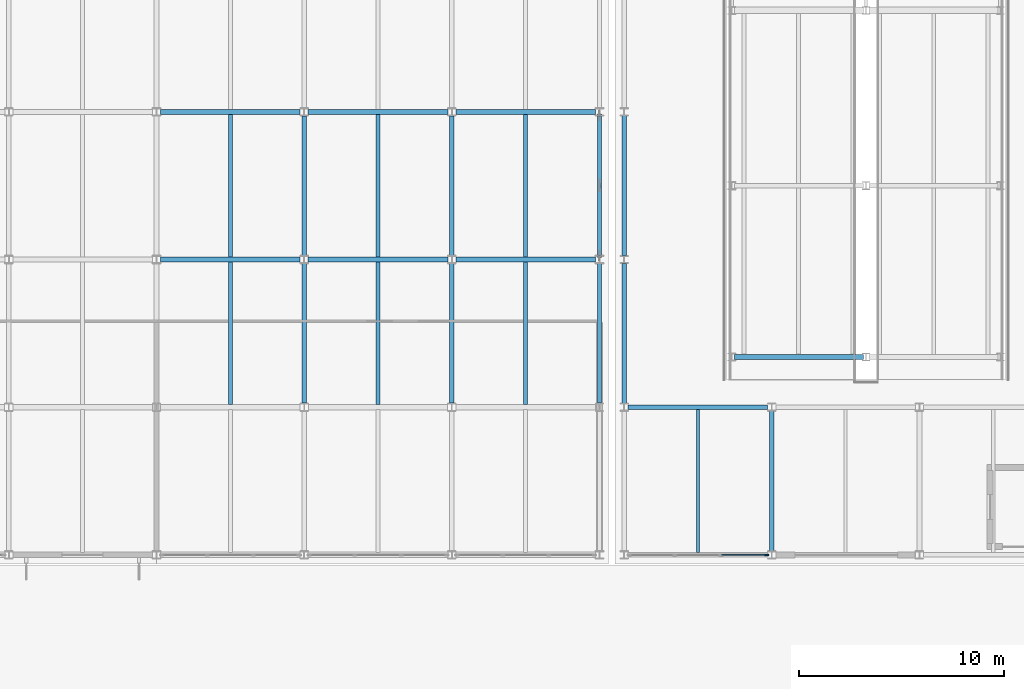
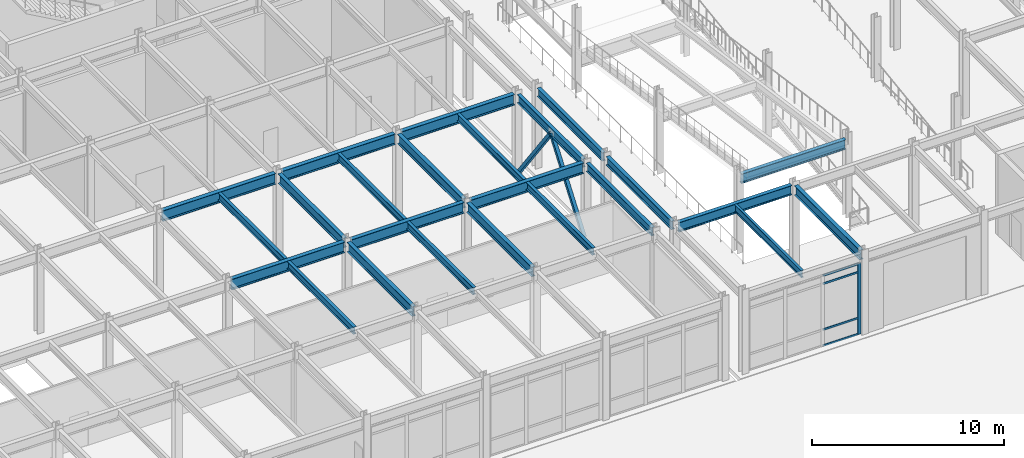
# One storey, part 36 of 104: 24 beams, 7 members, 1 element without a shape of its own.
"""IFC4 building model written with IfcOpenShell, lengths in metres."""

from ifc_helpers import new_model, si_unit, direction, frame, origin, origin_2d, place, context, subcontext, project, spatial, rectangle, hollow_rectangle, i_section, extrude, material, material_profile, profile_set, type_object, element, aggregate, save


model = new_model("IFC4")

# Units and contexts
model_context = context("Model", 3, precision=1e-05, world=origin(), true_north=direction((0.0, 1.0)))
body_context = subcontext(model_context, "Body", "Model", "MODEL_VIEW")
ifc_project = project(units=[si_unit("LENGTHUNIT", "METRE"), si_unit("AREAUNIT", "SQUARE_METRE"), si_unit("VOLUMEUNIT", "CUBIC_METRE"), si_unit("PLANEANGLEUNIT", "RADIAN"), si_unit("MASSUNIT", "GRAM", prefix="KILO")], contexts=[model_context])

# Site, building, storey
site_placement = place(None, origin())
site = spatial("IfcSite", under=ifc_project, at=site_placement, CompositionType="ELEMENT")
building_placement = place(site_placement, origin())
building = spatial("IfcBuilding", under=site, at=building_placement, Name="Vaelcorin Mobility Hub", CompositionType="ELEMENT")
storey_placement = place(building_placement, origin())
storey = spatial("IfcBuildingStorey", under=building, at=storey_placement, Name="L00", CompositionType="ELEMENT", Elevation=0.0)

# Beams
ifc_material_1 = material(Name="Steel ASTM A992 Grade 50", Category="steel")
ifc_material_profile_1 = material_profile(ifc_material_1, i_section(OverallWidth=0.152099609375, OverallDepth=0.455078125, WebThickness=0.008056640625, FlangeThickness=0.01318359375, FilletRadius=0.012939453125, at=origin_2d()), Name="W18X40")
ifc_profile_set_1 = profile_set([ifc_material_profile_1], Name="Steel ASTM A992 Grade 50")
beam_type_1 = type_object("IfcBeamType", Name="BM-W18X40", PredefinedType="JOIST", material=ifc_profile_set_1)
beam_1_placement = place(storey_placement, frame((127.199951171875, 76.912109375, 4.922119140625), z_axis=(0.0, 1.0, 0.0), x_axis=(-1.0, 0.0, 0.0)))
element("IfcBeam", 1, at=beam_1_placement, inside=storey, type_object=beam_type_1, Name="L00 Beam V2E-L00-J-01-01-1", PredefinedType="JOIST", context=body_context, shape_type="SweptSolid", body=[
    extrude(i_section(OverallWidth=0.152099609375, OverallDepth=0.455078125, WebThickness=0.008056640625, FlangeThickness=0.01318359375, FilletRadius=0.012939453125, at=origin_2d()), origin(), (0.0, 0.0, 1.0), 6.975830078125),
])
ifc_material_profile_2 = material_profile(ifc_material_1, i_section(OverallWidth=0.19091796875, OverallDepth=0.4599609375, WebThickness=0.010009765625, FlangeThickness=0.01611328125, FilletRadius=0.012939453125, at=origin_2d()), Name="W18X55")
ifc_profile_set_2 = profile_set([ifc_material_profile_2], Name="Steel ASTM A992 Grade 50")
beam_type_2 = type_object("IfcBeamType", Name="BM-W18X55", PredefinedType="JOIST", material=ifc_profile_set_2)
for number, where, z_axis, x_axis, name in (
    (2, (104.39990234375, 84.125, 4.929931640625), (0.0, 1.0, 0.0), (-1.0, 0.0, 0.0), "L00 Beam V4-L00-J-10-02-1"),
    (3, (104.39990234375, 91.324951171875, 4.929931640625), (0.0, 1.0, 0.0), (-1.0, 0.0, 0.0), "L00 Beam V4-L00-J-10-03-1"),
    (4, (111.60009765625, 84.125, 4.929931640625), (0.0, 1.0, 0.0), (-1.0, 0.0, 0.0), "L00 Beam V4-L00-J-11-02-1"),
    (5, (111.60009765625, 91.324951171875, 4.929931640625), (0.0, 1.0, 0.0), (-1.0, 0.0, 0.0), "L00 Beam V4-L00-J-11-03-1"),
    (6, (118.800048828125, 84.125, 4.929931640625), (0.0, 1.0, 0.0), (-1.0, 0.0, 0.0), "L00 Beam V4-L00-J-12-02-1"),
    (7, (118.800048828125, 91.324951171875, 4.929931640625), (0.0, 1.0, 0.0), (-1.0, 0.0, 0.0), "L00 Beam V4-L00-J-12-03-1"),
):
    element("IfcBeam", number, at=place(storey_placement, frame(where, z_axis=z_axis, x_axis=x_axis)), inside=storey, type_object=beam_type_2, Name=name, PredefinedType="JOIST", context=body_context, shape_type="SweptSolid", body=[
        extrude(i_section(OverallWidth=0.19091796875, OverallDepth=0.4599609375, WebThickness=0.010009765625, FlangeThickness=0.01611328125, FilletRadius=0.012939453125, at=origin_2d()), origin(), (0.0, 0.0, 1.0), 6.949951171875),
    ])
ifc_material_profile_3 = material_profile(ifc_material_1, i_section(OverallWidth=0.2099609375, OverallDepth=0.535888671875, WebThickness=0.010986328125, FlangeThickness=0.017333984375, FilletRadius=0.013916015625, at=origin_2d()), Name="W21X68")
ifc_profile_set_3 = profile_set([ifc_material_profile_3], Name="Steel ASTM A992 Grade 50")
beam_type_3 = type_object("IfcBeamType", Name="BM-W21X68", PredefinedType="SPANDREL", material=ifc_profile_set_3)
beam_2_placement = place(storey_placement, frame((122.39990234375, 84.200927734375, 4.89208984375), z_axis=(0.0, 1.0, 0.0), x_axis=(-1.0, 0.0, 0.0)))
element("IfcBeam", 8, at=beam_2_placement, inside=storey, type_object=beam_type_3, Name="L00 Beam V4-L00-GY-13-02", PredefinedType="SPANDREL", context=body_context, shape_type="SweptSolid", body=[
    extrude(i_section(OverallWidth=0.2099609375, OverallDepth=0.535888671875, WebThickness=0.010986328125, FlangeThickness=0.017333984375, FilletRadius=0.013916015625, at=origin_2d()), origin(), (0.0, 0.0, 1.0), 6.803955078125),
])
beam_3_placement = place(storey_placement, frame((122.39990234375, 91.39501953125, 4.89208984375), z_axis=(0.0, 1.0, 0.0), x_axis=(-1.0, 0.0, 0.0)))
element("IfcBeam", 9, at=beam_3_placement, inside=storey, type_object=beam_type_3, Name="L00 Beam V4-L00-GY-13-03", PredefinedType="SPANDREL", context=body_context, shape_type="SweptSolid", body=[
    extrude(i_section(OverallWidth=0.2099609375, OverallDepth=0.535888671875, WebThickness=0.010986328125, FlangeThickness=0.017333984375, FilletRadius=0.013916015625, at=origin_2d()), origin(), (0.0, 0.0, 1.0), 6.81005859375),
])
beam_4_placement = place(storey_placement, frame((123.60009765625, 84.18798828125, 4.882080078125), z_axis=(0.0, 1.0, 0.0), x_axis=(-1.0, 0.0, 0.0)))
element("IfcBeam", 10, at=beam_4_placement, inside=storey, type_object=beam_type_3, Name="L00 Beam V2E-L00-GY-01-02", PredefinedType="SPANDREL", context=body_context, shape_type="SweptSolid", body=[
    extrude(i_section(OverallWidth=0.2099609375, OverallDepth=0.535888671875, WebThickness=0.010986328125, FlangeThickness=0.017333984375, FilletRadius=0.013916015625, at=origin_2d()), origin(), (0.0, 0.0, 1.0), 6.823974609375),
])
beam_5_placement = place(storey_placement, frame((123.60009765625, 91.388916015625, 4.882080078125), z_axis=(0.0, 1.0, 0.0), x_axis=(-1.0, 0.0, 0.0)))
element("IfcBeam", 11, at=beam_5_placement, inside=storey, type_object=beam_type_3, Name="L00 Beam V2E-L00-GY-01-03", PredefinedType="SPANDREL", context=body_context, shape_type="SweptSolid", body=[
    extrude(i_section(OverallWidth=0.2099609375, OverallDepth=0.535888671875, WebThickness=0.010986328125, FlangeThickness=0.017333984375, FilletRadius=0.013916015625, at=origin_2d()), origin(), (0.0, 0.0, 1.0), 6.822998046875),
])
ifc_material_profile_4 = material_profile(ifc_material_1, i_section(OverallWidth=0.22900390625, OverallDepth=0.612060546875, WebThickness=0.011962890625, FlangeThickness=0.01953125, FilletRadius=0.014892578125, at=origin_2d()), Name="W24X84")
ifc_profile_set_4 = profile_set([ifc_material_profile_4], Name="Steel ASTM A992 Grade 50")
beam_type_4 = type_object("IfcBeamType", Name="BM-W24X84", PredefinedType="BEAM", material=ifc_profile_set_4)
beam_6_placement = place(storey_placement, frame((108.0, 84.200927734375, 4.85400390625), z_axis=(0.0, 1.0, 0.0), x_axis=(-1.0, 0.0, 0.0)))
element("IfcBeam", 12, at=beam_6_placement, inside=storey, type_object=beam_type_4, Name="L00 Beam V4-L00-GY-11-02", PredefinedType="BEAM", context=body_context, shape_type="SweptSolid", body=[
    extrude(i_section(OverallWidth=0.22900390625, OverallDepth=0.612060546875, WebThickness=0.011962890625, FlangeThickness=0.01953125, FilletRadius=0.014892578125, at=origin_2d()), origin(), (0.0, 0.0, 1.0), 6.803955078125),
])
beam_7_placement = place(storey_placement, frame((108.0, 91.39501953125, 4.85400390625), z_axis=(0.0, 1.0, 0.0), x_axis=(-1.0, 0.0, 0.0)))
element("IfcBeam", 13, at=beam_7_placement, inside=storey, type_object=beam_type_4, Name="L00 Beam V4-L00-GY-11-03", PredefinedType="BEAM", context=body_context, shape_type="SweptSolid", body=[
    extrude(i_section(OverallWidth=0.22900390625, OverallDepth=0.612060546875, WebThickness=0.011962890625, FlangeThickness=0.01953125, FilletRadius=0.014892578125, at=origin_2d()), origin(), (0.0, 0.0, 1.0), 6.81005859375),
])
beam_8_placement = place(storey_placement, frame((115.199951171875, 84.200927734375, 4.85400390625), z_axis=(0.0, 1.0, 0.0), x_axis=(-1.0, 0.0, 0.0)))
element("IfcBeam", 14, at=beam_8_placement, inside=storey, type_object=beam_type_4, Name="L00 Beam V4-L00-GY-12-02", PredefinedType="BEAM", context=body_context, shape_type="SweptSolid", body=[
    extrude(i_section(OverallWidth=0.22900390625, OverallDepth=0.612060546875, WebThickness=0.011962890625, FlangeThickness=0.01953125, FilletRadius=0.014892578125, at=origin_2d()), origin(), (0.0, 0.0, 1.0), 6.803955078125),
])
beam_9_placement = place(storey_placement, frame((115.199951171875, 91.39501953125, 4.85400390625), z_axis=(0.0, 1.0, 0.0), x_axis=(-1.0, 0.0, 0.0)))
element("IfcBeam", 15, at=beam_9_placement, inside=storey, type_object=beam_type_4, Name="L00 Beam V4-L00-GY-12-03", PredefinedType="BEAM", context=body_context, shape_type="SweptSolid", body=[
    extrude(i_section(OverallWidth=0.22900390625, OverallDepth=0.612060546875, WebThickness=0.011962890625, FlangeThickness=0.01953125, FilletRadius=0.014892578125, at=origin_2d()), origin(), (0.0, 0.0, 1.0), 6.81005859375),
])
beam_10_placement = place(storey_placement, frame((123.7958984375, 84.0, 4.843994140625), z_axis=(1.0, 0.0, 0.0), x_axis=(0.0, 1.0, 0.0)))
element("IfcBeam", 16, at=beam_10_placement, inside=storey, type_object=beam_type_4, Name="L00 Beam V2E-L00-GX-02-01", PredefinedType="BEAM", context=body_context, shape_type="SweptSolid", body=[
    extrude(i_section(OverallWidth=0.22900390625, OverallDepth=0.612060546875, WebThickness=0.011962890625, FlangeThickness=0.01953125, FilletRadius=0.014892578125, at=origin_2d()), origin(), (0.0, 0.0, 1.0), 6.80810546875),
])
beam_11_placement = place(storey_placement, frame((130.800048828125, 76.988037109375, 4.843994140625), z_axis=(0.0, 1.0, 0.0), x_axis=(-1.0, 0.0, 0.0)))
element("IfcBeam", 17, at=beam_11_placement, inside=storey, type_object=beam_type_4, Name="L00 Beam V2E-L00-GY-02-01", PredefinedType="BEAM", context=body_context, shape_type="SweptSolid", body=[
    extrude(i_section(OverallWidth=0.22900390625, OverallDepth=0.612060546875, WebThickness=0.011962890625, FlangeThickness=0.01953125, FilletRadius=0.014892578125, at=origin_2d()), origin(), (0.0, 0.0, 1.0), 6.823974609375),
])
beam_12_placement = place(storey_placement, frame((128.97998046875, 86.449951171875, 4.635986328125), z_axis=(1.0, 0.0, 0.0), x_axis=(0.0, 1.0, 0.0)))
element("IfcBeam", 18, at=beam_12_placement, inside=storey, type_object=beam_type_4, Name="Vehicle Ramp VR-2 L00 Bent Girder F2S", PredefinedType="BEAM", context=body_context, shape_type="SweptSolid", body=[
    extrude(i_section(OverallWidth=0.22900390625, OverallDepth=0.612060546875, WebThickness=0.011962890625, FlangeThickness=0.01953125, FilletRadius=0.014892578125, at=origin_2d()), origin(), (0.0, 0.0, 1.0), 6.2900390625),
])
ifc_material_profile_5 = material_profile(ifc_material_1, i_section(OverallWidth=0.25390625, OverallDepth=0.68310546875, WebThickness=0.012451171875, FlangeThickness=0.018798828125, FilletRadius=0.01611328125, at=origin_2d()), Name="W27X94")
ifc_profile_set_5 = profile_set([ifc_material_profile_5], Name="Steel ASTM A992 Grade 50")
beam_type_5 = type_object("IfcBeamType", Name="BM-W27X94", PredefinedType="BEAM", material=ifc_profile_set_5)
for number, where, z_axis, x_axis, name in (
    (19, (100.998046875, 91.199951171875, 4.818115234375), (1.0, 0.0, 0.0), (0.0, 1.0, 0.0), "L00 Beam V4-L00-GX-03-10"),
    (20, (108.197998046875, 91.199951171875, 4.818115234375), (1.0, 0.0, 0.0), (0.0, 1.0, 0.0), "L00 Beam V4-L00-GX-03-11"),
    (21, (115.39794921875, 91.199951171875, 4.818115234375), (1.0, 0.0, 0.0), (0.0, 1.0, 0.0), "L00 Beam V4-L00-GX-03-12"),
    (22, (100.998046875, 98.39990234375, 4.818115234375), (1.0, 0.0, 0.0), (0.0, 1.0, 0.0), "L00 Beam V4-L00-GX-04-10"),
    (23, (108.197998046875, 98.39990234375, 4.818115234375), (1.0, 0.0, 0.0), (0.0, 1.0, 0.0), "L00 Beam V4-L00-GX-04-11"),
    (24, (115.39794921875, 98.39990234375, 4.818115234375), (1.0, 0.0, 0.0), (0.0, 1.0, 0.0), "L00 Beam V4-L00-GX-04-12"),
):
    element("IfcBeam", number, at=place(storey_placement, frame(where, z_axis=z_axis, x_axis=x_axis)), inside=storey, type_object=beam_type_5, Name=name, PredefinedType="BEAM", context=body_context, shape_type="SweptSolid", body=[
        extrude(i_section(OverallWidth=0.25390625, OverallDepth=0.68310546875, WebThickness=0.012451171875, FlangeThickness=0.018798828125, FilletRadius=0.01611328125, at=origin_2d()), origin(), (0.0, 0.0, 1.0), 6.803955078125),
    ])

# Members
ifc_material_2 = material(Name="Steel ASTM A500 Grade C", Category="steel")
ifc_material_profile_6 = material_profile(ifc_material_2, hollow_rectangle(XDim=0.203125, YDim=0.203125, WallThickness=0.01171875, at=origin_2d()), Name="HSS8X8X0.500")
ifc_profile_set_6 = profile_set([ifc_material_profile_6], Name="Steel ASTM A500 Grade C")
member_type_1 = type_object("IfcMemberType", Name="BR-SCBF-8X8", PredefinedType="BRACE", material=ifc_profile_set_6)
member_1_placement = place(storey_placement, frame((122.39990234375, 91.389892578125, 0.179931640625), z_axis=(0.0, 0.598045829922, 0.801461905091), x_axis=(-1.0, 0.0, 0.0)))
element("IfcMember", 25, at=member_1_placement, inside=storey, type_object=member_type_1, Name="SCBF Chevron Brace V4-BY2-L00-A", PredefinedType="BRACE", context=body_context, shape_type="SweptSolid", body=[
    extrude(hollow_rectangle(XDim=0.203125, YDim=0.203125, WallThickness=0.01171875, at=origin_2d()), origin(), (0.0, 0.0, 1.0), 5.7021484375),
])
member_2_placement = place(storey_placement, frame((122.39990234375, 98.2099609375, 0.179931640625), z_axis=(0.0, -0.598018326756, 0.801482427046), x_axis=(1.0, 0.0, 0.0)))
element("IfcMember", 26, at=member_2_placement, inside=storey, type_object=member_type_1, Name="SCBF Chevron Brace V4-BY2-L00-B", PredefinedType="BRACE", context=body_context, shape_type="SweptSolid", body=[
    extrude(hollow_rectangle(XDim=0.203125, YDim=0.203125, WallThickness=0.01171875, at=origin_2d()), origin(), (0.0, 0.0, 1.0), 5.701904296875),
])

# Curtain wall, members
ifc_material_3 = material(Name="Anodised aluminium 6063-T6", Category="aluminium")
curtain_wall_type = type_object("IfcCurtainWallType", Name="CW-MSC-A", PredefinedType="NOTDEFINED", material=ifc_material_3)
curtain_wall_placement = place(storey_placement, origin())
curtain_wall = element("IfcCurtainWall", 27, at=curtain_wall_placement, inside=storey, type_object=curtain_wall_type, Name="L00 Curtain Wall CW-V2E-L00-S-01", PredefinedType="NOTDEFINED")
ifc_material_profile_7 = material_profile(ifc_material_3, rectangle(XDim=0.070068359375, YDim=0.199951171875, at=origin_2d()), Name="ALU-M70X200")
ifc_profile_set_7 = profile_set([ifc_material_profile_7], Name="Anodised aluminium 6063-T6")
member_type_2 = type_object("IfcMemberType", Name="CW-MULL-200", PredefinedType="MULLION", material=ifc_profile_set_7)
member_3_placement = place(storey_placement, frame((130.550048828125, 76.800048828125, 0.0), z_axis=(0.0, 0.0, 1.0), x_axis=(0.0, -1.0, 0.0)))
member_3 = element("IfcMember", 28, at=member_3_placement, type_object=member_type_2, Name="CW3 mullion 1", PredefinedType="MULLION", context=body_context, shape_type="SweptSolid", body=[
    extrude(rectangle(XDim=0.070068359375, YDim=0.199951171875, at=origin_2d()), origin(), (0.0, 0.0, 1.0), 4.52294921875),
])
ifc_material_profile_8 = material_profile(ifc_material_3, rectangle(XDim=0.06005859375, YDim=0.1201171875, at=origin_2d()), Name="ALU-T60X120")
ifc_profile_set_8 = profile_set([ifc_material_profile_8], Name="Anodised aluminium 6063-T6")
member_type_3 = type_object("IfcMemberType", Name="CW-TRAN-140", PredefinedType="USERDEFINED", material=ifc_profile_set_8)
member_4_placement = place(storey_placement, frame((130.52001953125, 76.800048828125, 0.030029296875), z_axis=(-1.0, 0.0, 0.0), x_axis=(0.0, -1.0, 0.0)))
member_4 = element("IfcMember", 29, at=member_4_placement, type_object=member_type_3, Name="CW3 transom 1.1", ObjectType="TRANSOM", PredefinedType="USERDEFINED", context=body_context, shape_type="SweptSolid", body=[
    extrude(rectangle(XDim=0.06005859375, YDim=0.1201171875, at=origin_2d()), origin(), (0.0, 0.0, 1.0), 2.163330078125),
])
member_5_placement = place(storey_placement, frame((130.52001953125, 76.800048828125, 1.050048828125), z_axis=(-1.0, 0.0, 0.0), x_axis=(0.0, -1.0, 0.0)))
member_5 = element("IfcMember", 30, at=member_5_placement, type_object=member_type_3, Name="CW3 transom 1.2", ObjectType="TRANSOM", PredefinedType="USERDEFINED", context=body_context, shape_type="SweptSolid", body=[
    extrude(rectangle(XDim=0.06005859375, YDim=0.1201171875, at=origin_2d()), origin(), (0.0, 0.0, 1.0), 2.163330078125),
])
member_6_placement = place(storey_placement, frame((130.52001953125, 76.800048828125, 3.972900390625), z_axis=(-1.0, 0.0, 0.0), x_axis=(0.0, -1.0, 0.0)))
member_6 = element("IfcMember", 31, at=member_6_placement, type_object=member_type_3, Name="CW3 transom 1.3", ObjectType="TRANSOM", PredefinedType="USERDEFINED", context=body_context, shape_type="SweptSolid", body=[
    extrude(rectangle(XDim=0.06005859375, YDim=0.1201171875, at=origin_2d()), origin(), (0.0, 0.0, 1.0), 2.163330078125),
])
member_7_placement = place(storey_placement, frame((130.52001953125, 76.800048828125, 4.492919921875), z_axis=(-1.0, 0.0, 0.0), x_axis=(0.0, -1.0, 0.0)))
member_7 = element("IfcMember", 32, at=member_7_placement, type_object=member_type_3, Name="CW3 transom 1.4", ObjectType="TRANSOM", PredefinedType="USERDEFINED", context=body_context, shape_type="SweptSolid", body=[
    extrude(rectangle(XDim=0.06005859375, YDim=0.1201171875, at=origin_2d()), origin(), (0.0, 0.0, 1.0), 2.163330078125),
])
aggregate(curtain_wall, [member_3, member_4, member_5, member_6, member_7])

save(model, "model.ifc")
